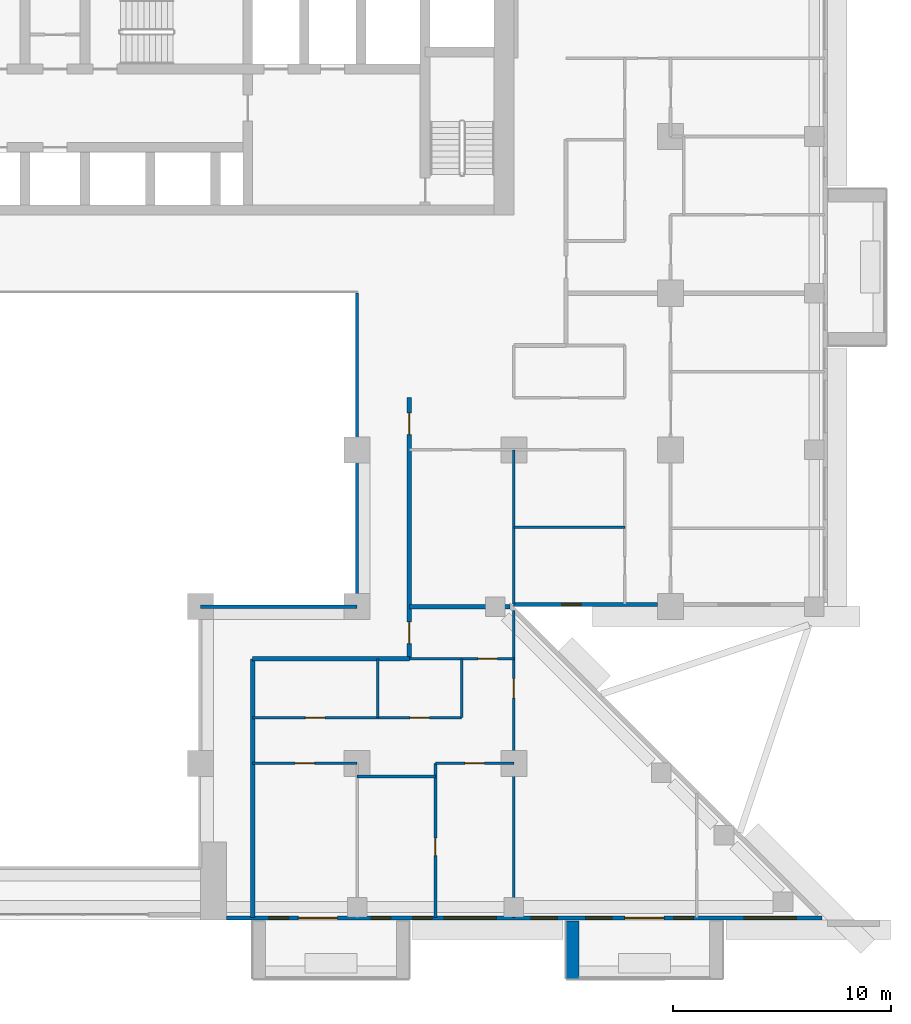
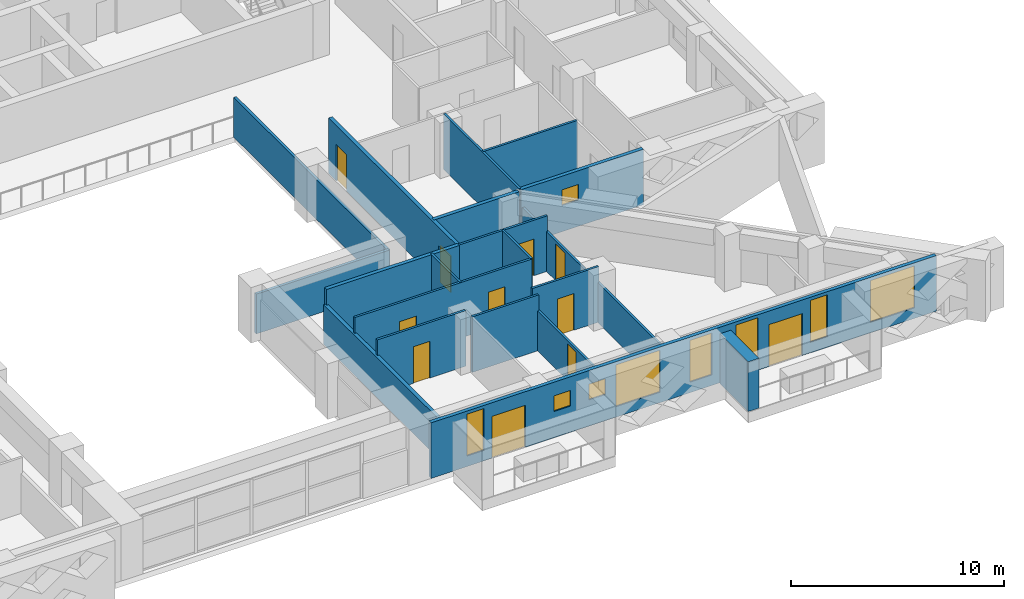
# One storey, part 8 of 17: 20 walls, 11 doors, 9 windows, 20 openings.
"""IFC4 building model written with IfcOpenShell, lengths in metres."""

from ifc_helpers import new_model, si_unit, direction, frame, frame_2d, origin, place, context, subcontext, project, spatial, rectangle, extrude, material, layer, layer_set, type_object, element, fill, save


model = new_model("IFC4")

# Units and contexts
model_context = context("Model", 3, precision=1e-05, world=origin(), true_north=direction((0.0, 1.0)))
body_context = subcontext(model_context, "Body", "Model", "MODEL_VIEW")
ifc_project = project(units=[si_unit("LENGTHUNIT", "METRE"), si_unit("AREAUNIT", "SQUARE_METRE"), si_unit("VOLUMEUNIT", "CUBIC_METRE"), si_unit("PLANEANGLEUNIT", "RADIAN"), si_unit("MASSUNIT", "GRAM", prefix="KILO")], contexts=[model_context])

# Site, building, storey
site_placement = place(None, origin())
site = spatial("IfcSite", under=ifc_project, at=site_placement, CompositionType="ELEMENT")
building_placement = place(site_placement, origin())
building = spatial("IfcBuilding", under=site, at=building_placement, Name="Saffron Iwan Residences", CompositionType="ELEMENT")
storey_placement = place(building_placement, frame((0.0, 0.0, 100.5)))
storey = spatial("IfcBuildingStorey", under=building, at=storey_placement, Name="L26", CompositionType="ELEMENT", Elevation=100.5)

# Walls
ifc_material_1 = material(Name="Fire-rated glazing", Category="glass")
ifc_layer_1 = layer(ifc_material_1, 0.14990234375)
ifc_layer_set_1 = layer_set([ifc_layer_1], Name="Fire-rated glazing")
wall_type_1 = type_object("IfcWallType", Name="Atrium glazed screen 150", PredefinedType="SOLIDWALL", material=ifc_layer_set_1)
wall_1_placement = place(storey_placement, frame((57.60009765625, 48.0, 0.0), z_axis=(0.0, 0.0, 1.0), x_axis=(1.0, 0.0, 0.0)))
element("IfcWall", 1, at=wall_1_placement, inside=storey, type_object=wall_type_1, Name="W-L26-SCREEN-h48-57.6", PredefinedType="SOLIDWALL", context=body_context, shape_type="SweptSolid", body=[
    extrude(rectangle(XDim=7.199951171875, YDim=0.14990234375, at=frame_2d((3.60009765625, 0.0))), origin(), (0.0, 0.0, 1.0), 2.280029296875),
])
wall_2_placement = place(storey_placement, frame((64.800048828125, 48.0, 0.0), z_axis=(0.0, 0.0, 1.0), x_axis=(0.0, 1.0, 0.0)))
element("IfcWall", 2, at=wall_2_placement, inside=storey, type_object=wall_type_1, Name="W-L26-SCREEN-v64.8-48", PredefinedType="SOLIDWALL", context=body_context, shape_type="SweptSolid", body=[
    extrude(rectangle(XDim=14.39990234375, YDim=0.14990234375, at=frame_2d((7.199951171875, 0.0))), origin(), (0.0, 0.0, 1.0), 2.280029296875),
])
ifc_material_2 = material(Name="Concrete C50/60 white painted", Category="concrete")
ifc_layer_2 = layer(ifc_material_2, 0.60009765625)
ifc_layer_set_2 = layer_set([ifc_layer_2], Name="Concrete C50/60 white painted")
wall_type_2 = type_object("IfcWallType", Name="BALCONY FIN 600", PredefinedType="SOLIDWALL", material=ifc_layer_set_2)
wall_3_placement = place(storey_placement, frame((74.699951171875, 33.550048828125, 0.0), z_axis=(0.0, 0.0, 1.0), x_axis=(0.0, -1.0, 0.0)))
element("IfcWall", 3, at=wall_3_placement, inside=storey, type_object=wall_type_2, Name="Balcony fin L26 11-2a", PredefinedType="SOLIDWALL", context=body_context, shape_type="SweptSolid", body=[
    extrude(rectangle(XDim=2.650146484375, YDim=0.60009765625, at=frame_2d((1.3251953125, 0.0))), origin(), (0.0, 0.0, 1.0), 2.85009765625),
])

# Wall, opening, window
ifc_material_3 = material(Name="Concrete C40/50", Category="concrete")
ifc_layer_3 = layer(ifc_material_3, 0.199951171875)
ifc_layer_set_3 = layer_set([ifc_layer_3], Name="Concrete C40/50")
wall_type_3 = type_object("IfcWallType", Name="EXTERNAL WALL 200", PredefinedType="SOLIDWALL", material=ifc_layer_set_3)
wall_4_placement = place(storey_placement, frame((71.988525390625, 48.10009765625, 0.0), z_axis=(0.0, 0.0, 1.0), x_axis=(1.0, 0.0, 0.0)))
wall_4 = element("IfcWall", 4, at=wall_4_placement, inside=storey, type_object=wall_type_3, Name="External wall L26 F1.0", PredefinedType="SOLIDWALL", context=body_context, shape_type="SweptSolid", body=[
    extrude(rectangle(XDim=6.611572265625, YDim=0.199951171875, at=frame_2d((3.3056640625, 0.0))), origin(), (0.0, 0.0, 1.0), 3.179931640625),
])
opening_1_placement = place(wall_4_placement, frame((2.205810546875, 0.0, 1.5)))
opening_1 = element("IfcOpeningElement", 5, at=opening_1_placement, cuts=wall_4, Name="Opening W6", PredefinedType="OPENING", context=body_context, shape_type="SweptSolid", body=[
    extrude(rectangle(XDim=0.89990234375, YDim=0.89990234375, at=frame_2d((0.449951171875, 0.449951171875))), frame((0.0, 0.10986328125, 0.0), z_axis=(0.0, -1.0, 0.0), x_axis=(1.0, 0.0, 0.0)), (0.0, 0.0, 1.0), 0.219970703125),
])
ifc_material_4 = material(Name="Clear glass, laminated double glazed", Category="glass")
window_type_1 = type_object("IfcWindowType", Name="WINDOW 900 x 900 BATH", PartitioningType="SINGLE_PANEL", PredefinedType="WINDOW", material=ifc_material_4)
window_1_placement = place(opening_1_placement, origin())
window_1 = element("IfcWindow", 6, at=window_1_placement, inside=storey, type_object=window_type_1, Name="Window L26 F1.0", OverallHeight=0.89990234375, OverallWidth=0.89990234375, PartitioningType="SINGLE_PANEL", PredefinedType="WINDOW", context=body_context, shape_type="SweptSolid", body=[
    extrude(rectangle(XDim=0.89990234375, YDim=0.89990234375, at=frame_2d((0.449951171875, 0.449951171875))), frame((0.0, 0.030029296875, 0.0), z_axis=(0.0, -1.0, 0.0), x_axis=(1.0, 0.0, 0.0)), (0.0, 0.0, 1.0), 0.06005859375),
])
fill(opening_1, window_1)

# Wall, openings, doors, windows
wall_5_placement = place(storey_placement, frame((58.800048828125, 33.699951171875, 0.0), z_axis=(0.0, 0.0, 1.0), x_axis=(1.0, 0.0, 0.0)))
wall_5 = element("IfcWall", 7, at=wall_5_placement, inside=storey, type_object=wall_type_3, Name="External wall L26 F11.1", PredefinedType="SOLIDWALL", context=body_context, shape_type="SweptSolid", body=[
    extrude(rectangle(XDim=27.358642578125, YDim=0.199951171875, at=frame_2d((13.67919921875, 0.0))), origin(), (0.0, 0.0, 1.0), 3.179931640625),
])
opening_2_placement = place(wall_5_placement, frame((3.300048828125, 0.0, 0.0)))
opening_2 = element("IfcOpeningElement", 8, at=opening_2_placement, cuts=wall_5, Name="Opening BD1", PredefinedType="OPENING", context=body_context, shape_type="SweptSolid", body=[
    extrude(rectangle(XDim=1.800048828125, YDim=2.39990234375, at=frame_2d((0.89990234375, 1.199951171875))), frame((0.0, 0.10986328125, 0.0), z_axis=(0.0, -1.0, 0.0), x_axis=(1.0, 0.0, 0.0)), (0.0, 0.0, 1.0), 0.219970703125),
])
opening_3_placement = place(wall_5_placement, frame((18.300048828125, 0.0, 0.0)))
opening_3 = element("IfcOpeningElement", 9, at=opening_3_placement, cuts=wall_5, Name="Opening BD1", PredefinedType="OPENING", context=body_context, shape_type="SweptSolid", body=[
    extrude(rectangle(XDim=1.800048828125, YDim=2.39990234375, at=frame_2d((0.89990234375, 1.199951171875))), frame((0.0, 0.10986328125, 0.0), z_axis=(0.0, -1.0, 0.0), x_axis=(1.0, 0.0, 0.0)), (0.0, 0.0, 1.0), 0.219970703125),
])
opening_4_placement = place(wall_5_placement, frame((10.0, 0.0, 0.60009765625)))
opening_4 = element("IfcOpeningElement", 10, at=opening_4_placement, cuts=wall_5, Name="Opening W1", PredefinedType="OPENING", context=body_context, shape_type="SweptSolid", body=[
    extrude(rectangle(XDim=2.39990234375, YDim=2.39990234375, at=frame_2d((1.199951171875, 1.199951171875))), frame((0.0, 0.10986328125, 0.0), z_axis=(0.0, -1.0, 0.0), x_axis=(1.0, 0.0, 0.0)), (0.0, 0.0, 1.0), 0.219970703125),
])
opening_5_placement = place(wall_5_placement, frame((6.64990234375, 0.0, 1.5)))
opening_5 = element("IfcOpeningElement", 11, at=opening_5_placement, cuts=wall_5, Name="Opening W6", PredefinedType="OPENING", context=body_context, shape_type="SweptSolid", body=[
    extrude(rectangle(XDim=0.89990234375, YDim=0.89990234375, at=frame_2d((0.449951171875, 0.449951171875))), frame((0.0, 0.10986328125, 0.0), z_axis=(0.0, -1.0, 0.0), x_axis=(1.0, 0.0, 0.0)), (0.0, 0.0, 1.0), 0.219970703125),
])
opening_6_placement = place(wall_5_placement, frame((8.550048828125, 0.0, 1.5)))
opening_6 = element("IfcOpeningElement", 12, at=opening_6_placement, cuts=wall_5, Name="Opening W6", PredefinedType="OPENING", context=body_context, shape_type="SweptSolid", body=[
    extrude(rectangle(XDim=0.89990234375, YDim=0.89990234375, at=frame_2d((0.449951171875, 0.449951171875))), frame((0.0, 0.10986328125, 0.0), z_axis=(0.0, -1.0, 0.0), x_axis=(1.0, 0.0, 0.0)), (0.0, 0.0, 1.0), 0.219970703125),
])
opening_7_placement = place(wall_5_placement, frame((1.949951171875, 0.0, 0.60009765625)))
opening_7 = element("IfcOpeningElement", 13, at=opening_7_placement, cuts=wall_5, Name="Opening W10", PredefinedType="OPENING", context=body_context, shape_type="SweptSolid", body=[
    extrude(rectangle(XDim=0.89990234375, YDim=2.39990234375, at=frame_2d((0.449951171875, 1.199951171875))), frame((0.0, 0.10986328125, 0.0), z_axis=(0.0, -1.0, 0.0), x_axis=(1.0, 0.0, 0.0)), (0.0, 0.0, 1.0), 0.219970703125),
])
opening_8_placement = place(wall_5_placement, frame((14.0, 0.0, 0.60009765625)))
opening_8 = element("IfcOpeningElement", 14, at=opening_8_placement, cuts=wall_5, Name="Opening W3", PredefinedType="OPENING", context=body_context, shape_type="SweptSolid", body=[
    extrude(rectangle(XDim=1.199951171875, YDim=2.39990234375, at=frame_2d((0.60009765625, 1.199951171875))), frame((0.0, 0.10986328125, 0.0), z_axis=(0.0, -1.0, 0.0), x_axis=(1.0, 0.0, 0.0)), (0.0, 0.0, 1.0), 0.219970703125),
])
opening_9_placement = place(wall_5_placement, frame((16.5, 0.0, 0.60009765625)))
opening_9 = element("IfcOpeningElement", 15, at=opening_9_placement, cuts=wall_5, Name="Opening W3", PredefinedType="OPENING", context=body_context, shape_type="SweptSolid", body=[
    extrude(rectangle(XDim=1.199951171875, YDim=2.39990234375, at=frame_2d((0.60009765625, 1.199951171875))), frame((0.0, 0.10986328125, 0.0), z_axis=(0.0, -1.0, 0.0), x_axis=(1.0, 0.0, 0.0)), (0.0, 0.0, 1.0), 0.219970703125),
])
opening_10_placement = place(wall_5_placement, frame((20.550048828125, 0.0, 0.60009765625)))
opening_10 = element("IfcOpeningElement", 16, at=opening_10_placement, cuts=wall_5, Name="Opening W10", PredefinedType="OPENING", context=body_context, shape_type="SweptSolid", body=[
    extrude(rectangle(XDim=0.89990234375, YDim=2.39990234375, at=frame_2d((0.449951171875, 1.199951171875))), frame((0.0, 0.10986328125, 0.0), z_axis=(0.0, -1.0, 0.0), x_axis=(1.0, 0.0, 0.0)), (0.0, 0.0, 1.0), 0.219970703125),
])
opening_11_placement = place(wall_5_placement, frame((23.779296875, 0.0, 0.60009765625)))
opening_11 = element("IfcOpeningElement", 17, at=opening_11_placement, cuts=wall_5, Name="Opening W1", PredefinedType="OPENING", context=body_context, shape_type="SweptSolid", body=[
    extrude(rectangle(XDim=2.39990234375, YDim=2.39990234375, at=frame_2d((1.199951171875, 1.199951171875))), frame((0.0, 0.10986328125, 0.0), z_axis=(0.0, -1.0, 0.0), x_axis=(1.0, 0.0, 0.0)), (0.0, 0.0, 1.0), 0.219970703125),
])
door_type_1 = type_object("IfcDoorType", Name="BALCONY DOOR 1800 x 2400", OperationType="DOUBLE_DOOR_SLIDING", PredefinedType="DOOR", material=ifc_material_4)
door_1_placement = place(opening_2_placement, origin())
door_1 = element("IfcDoor", 18, at=door_1_placement, inside=storey, type_object=door_type_1, Name="Balcony door L26 F11.0", OperationType="DOUBLE_DOOR_SLIDING", OverallHeight=2.39990234375, OverallWidth=1.800048828125, PredefinedType="DOOR", context=body_context, shape_type="SweptSolid", body=[
    extrude(rectangle(XDim=1.800048828125, YDim=2.39990234375, at=frame_2d((0.89990234375, 1.199951171875))), frame((0.0, 0.02490234375, 0.0), z_axis=(0.0, -1.0, 0.0), x_axis=(1.0, 0.0, 0.0)), (0.0, 0.0, 1.0), 0.050048828125),
])
fill(opening_2, door_1)
door_2_placement = place(opening_3_placement, origin())
door_2 = element("IfcDoor", 19, at=door_2_placement, inside=storey, type_object=door_type_1, Name="Balcony door L26 F11.1", OperationType="DOUBLE_DOOR_SLIDING", OverallHeight=2.39990234375, OverallWidth=1.800048828125, PredefinedType="DOOR", context=body_context, shape_type="SweptSolid", body=[
    extrude(rectangle(XDim=1.800048828125, YDim=2.39990234375, at=frame_2d((0.89990234375, 1.199951171875))), frame((0.0, 0.02490234375, 0.0), z_axis=(0.0, -1.0, 0.0), x_axis=(1.0, 0.0, 0.0)), (0.0, 0.0, 1.0), 0.050048828125),
])
fill(opening_3, door_2)
window_type_2 = type_object("IfcWindowType", Name="WINDOW 1200 x 2400", PartitioningType="SINGLE_PANEL", PredefinedType="WINDOW", material=ifc_material_4)
window_2_placement = place(opening_8_placement, origin())
window_2 = element("IfcWindow", 20, at=window_2_placement, inside=storey, type_object=window_type_2, Name="Window L26 F11.6", OverallHeight=2.39990234375, OverallWidth=1.199951171875, PartitioningType="SINGLE_PANEL", PredefinedType="WINDOW", context=body_context, shape_type="SweptSolid", body=[
    extrude(rectangle(XDim=1.199951171875, YDim=2.39990234375, at=frame_2d((0.60009765625, 1.199951171875))), frame((0.0, 0.030029296875, 0.0), z_axis=(0.0, -1.0, 0.0), x_axis=(1.0, 0.0, 0.0)), (0.0, 0.0, 1.0), 0.06005859375),
])
fill(opening_8, window_2)
window_3_placement = place(opening_9_placement, origin())
window_3 = element("IfcWindow", 21, at=window_3_placement, inside=storey, type_object=window_type_2, Name="Window L26 F11.7", OverallHeight=2.39990234375, OverallWidth=1.199951171875, PartitioningType="SINGLE_PANEL", PredefinedType="WINDOW", context=body_context, shape_type="SweptSolid", body=[
    extrude(rectangle(XDim=1.199951171875, YDim=2.39990234375, at=frame_2d((0.60009765625, 1.199951171875))), frame((0.0, 0.030029296875, 0.0), z_axis=(0.0, -1.0, 0.0), x_axis=(1.0, 0.0, 0.0)), (0.0, 0.0, 1.0), 0.06005859375),
])
fill(opening_9, window_3)
window_type_3 = type_object("IfcWindowType", Name="WINDOW 2400 x 2400", PartitioningType="DOUBLE_PANEL_VERTICAL", PredefinedType="WINDOW", material=ifc_material_4)
window_4_placement = place(opening_4_placement, origin())
window_4 = element("IfcWindow", 22, at=window_4_placement, inside=storey, type_object=window_type_3, Name="Window L26 F11.2", OverallHeight=2.39990234375, OverallWidth=2.39990234375, PartitioningType="DOUBLE_PANEL_VERTICAL", PredefinedType="WINDOW", context=body_context, shape_type="SweptSolid", body=[
    extrude(rectangle(XDim=2.39990234375, YDim=2.39990234375, at=frame_2d((1.199951171875, 1.199951171875))), frame((0.0, 0.030029296875, 0.0), z_axis=(0.0, -1.0, 0.0), x_axis=(1.0, 0.0, 0.0)), (0.0, 0.0, 1.0), 0.06005859375),
])
fill(opening_4, window_4)
window_5_placement = place(opening_11_placement, origin())
window_5 = element("IfcWindow", 23, at=window_5_placement, inside=storey, type_object=window_type_3, Name="Window L26 F11.9", OverallHeight=2.39990234375, OverallWidth=2.39990234375, PartitioningType="DOUBLE_PANEL_VERTICAL", PredefinedType="WINDOW", context=body_context, shape_type="SweptSolid", body=[
    extrude(rectangle(XDim=2.39990234375, YDim=2.39990234375, at=frame_2d((1.199951171875, 1.199951171875))), frame((0.0, 0.030029296875, 0.0), z_axis=(0.0, -1.0, 0.0), x_axis=(1.0, 0.0, 0.0)), (0.0, 0.0, 1.0), 0.06005859375),
])
fill(opening_11, window_5)
window_type_4 = type_object("IfcWindowType", Name="WINDOW 900 x 2400", PartitioningType="SINGLE_PANEL", PredefinedType="WINDOW", material=ifc_material_4)
window_6_placement = place(opening_7_placement, origin())
window_6 = element("IfcWindow", 24, at=window_6_placement, inside=storey, type_object=window_type_4, Name="Window L26 F11.5", OverallHeight=2.39990234375, OverallWidth=0.89990234375, PartitioningType="SINGLE_PANEL", PredefinedType="WINDOW", context=body_context, shape_type="SweptSolid", body=[
    extrude(rectangle(XDim=0.89990234375, YDim=2.39990234375, at=frame_2d((0.449951171875, 1.199951171875))), frame((0.0, 0.030029296875, 0.0), z_axis=(0.0, -1.0, 0.0), x_axis=(1.0, 0.0, 0.0)), (0.0, 0.0, 1.0), 0.06005859375),
])
fill(opening_7, window_6)
window_7_placement = place(opening_10_placement, origin())
window_7 = element("IfcWindow", 25, at=window_7_placement, inside=storey, type_object=window_type_4, Name="Window L26 F11.8", OverallHeight=2.39990234375, OverallWidth=0.89990234375, PartitioningType="SINGLE_PANEL", PredefinedType="WINDOW", context=body_context, shape_type="SweptSolid", body=[
    extrude(rectangle(XDim=0.89990234375, YDim=2.39990234375, at=frame_2d((0.449951171875, 1.199951171875))), frame((0.0, 0.030029296875, 0.0), z_axis=(0.0, -1.0, 0.0), x_axis=(1.0, 0.0, 0.0)), (0.0, 0.0, 1.0), 0.06005859375),
])
fill(opening_10, window_7)
window_8_placement = place(opening_5_placement, origin())
window_8 = element("IfcWindow", 26, at=window_8_placement, inside=storey, type_object=window_type_1, Name="Window L26 F11.3", OverallHeight=0.89990234375, OverallWidth=0.89990234375, PartitioningType="SINGLE_PANEL", PredefinedType="WINDOW", context=body_context, shape_type="SweptSolid", body=[
    extrude(rectangle(XDim=0.89990234375, YDim=0.89990234375, at=frame_2d((0.449951171875, 0.449951171875))), frame((0.0, 0.030029296875, 0.0), z_axis=(0.0, -1.0, 0.0), x_axis=(1.0, 0.0, 0.0)), (0.0, 0.0, 1.0), 0.06005859375),
])
fill(opening_5, window_8)
window_9_placement = place(opening_6_placement, origin())
window_9 = element("IfcWindow", 27, at=window_9_placement, inside=storey, type_object=window_type_1, Name="Window L26 F11.4", OverallHeight=0.89990234375, OverallWidth=0.89990234375, PartitioningType="SINGLE_PANEL", PredefinedType="WINDOW", context=body_context, shape_type="SweptSolid", body=[
    extrude(rectangle(XDim=0.89990234375, YDim=0.89990234375, at=frame_2d((0.449951171875, 0.449951171875))), frame((0.0, 0.030029296875, 0.0), z_axis=(0.0, -1.0, 0.0), x_axis=(1.0, 0.0, 0.0)), (0.0, 0.0, 1.0), 0.06005859375),
])
fill(opening_6, window_9)

# Walls
ifc_material_5 = material(Name="Fire-rated gypsum board wall")
ifc_layer_4 = layer(ifc_material_5, 0.199951171875)
ifc_layer_set_4 = layer_set([ifc_layer_4], Name="Fire-rated gypsum board wall")
wall_type_4 = type_object("IfcWallType", Name="Flat demising wall 200", PredefinedType="SOLIDWALL", material=ifc_layer_set_4)
wall_6_placement = place(storey_placement, frame((67.199951171875, 48.0, 0.0), z_axis=(0.0, 0.0, 1.0), x_axis=(1.0, 0.0, 0.0)))
element("IfcWall", 28, at=wall_6_placement, inside=storey, type_object=wall_type_4, Name="W-L26-DEMISE-h48-67.2", PredefinedType="SOLIDWALL", context=body_context, shape_type="SweptSolid", body=[
    extrude(rectangle(XDim=4.623046875, YDim=0.199951171875, at=frame_2d((2.3115234375, 0.0))), origin(), (0.0, 0.0, 1.0), 3.179931640625),
])
ifc_material_6 = material(Name="Gypsum board partition")
ifc_layer_5 = layer(ifc_material_6, 0.1201171875)
ifc_layer_set_5 = layer_set([ifc_layer_5], Name="Gypsum board partition")
wall_type_5 = type_object("IfcWallType", Name="Flat partition 120", PredefinedType="PARTITIONING", material=ifc_layer_set_5)
wall_7_placement = place(storey_placement, frame((64.800048828125, 40.199951171875, 0.0), z_axis=(0.0, 0.0, 1.0), x_axis=(1.0, 0.0, 0.0)))
element("IfcWall", 29, at=wall_7_placement, inside=storey, type_object=wall_type_5, Name="W-L26-PART-h40.2-64.8", PredefinedType="PARTITIONING", context=body_context, shape_type="SweptSolid", body=[
    extrude(rectangle(XDim=3.599853515625, YDim=0.1201171875, at=frame_2d((1.7998046875, 0.0))), origin(), (0.0, 0.0, 1.0), 3.179931640625),
])

# Wall, opening, door
wall_8_placement = place(storey_placement, frame((60.0, 40.800048828125, 0.0), z_axis=(0.0, 0.0, 1.0), x_axis=(1.0, 0.0, 0.0)))
wall_8 = element("IfcWall", 30, at=wall_8_placement, inside=storey, type_object=wall_type_5, Name="W-L26-PART-h40.8-60", PredefinedType="PARTITIONING", context=body_context, shape_type="SweptSolid", body=[
    extrude(rectangle(XDim=4.800048828125, YDim=0.1201171875, at=frame_2d((2.39990234375, 0.0))), origin(), (0.0, 0.0, 1.0), 3.179931640625),
])
opening_12_placement = place(wall_8_placement, frame((1.949951171875, 0.0, 0.0)))
opening_12 = element("IfcOpeningElement", 31, at=opening_12_placement, cuts=wall_8, Name="Opening FD2", PredefinedType="OPENING", context=body_context, shape_type="SweptSolid", body=[
    extrude(rectangle(XDim=0.89990234375, YDim=2.10009765625, at=frame_2d((0.449951171875, 1.050048828125))), frame((0.0, 0.070068359375, 0.0), z_axis=(0.0, -1.0, 0.0), x_axis=(1.0, 0.0, 0.0)), (0.0, 0.0, 1.0), 0.14013671875),
])
ifc_material_7 = material(Name="Timber door", Category="wood")
door_type_2 = type_object("IfcDoorType", Name="Flat door 900", OperationType="NOTDEFINED", PredefinedType="DOOR", material=ifc_material_7)
door_3_placement = place(opening_12_placement, origin())
door_3 = element("IfcDoor", 32, at=door_3_placement, inside=storey, type_object=door_type_2, Name="Door L26-046", OperationType="SINGLE_SWING_LEFT", OverallHeight=2.10009765625, OverallWidth=0.89990234375, PredefinedType="DOOR", context=body_context, shape_type="SweptSolid", body=[
    extrude(rectangle(XDim=0.89990234375, YDim=2.10009765625, at=frame_2d((0.449951171875, 1.050048828125))), frame((0.0, 0.02490234375, 0.0), z_axis=(0.0, -1.0, 0.0), x_axis=(1.0, 0.0, 0.0)), (0.0, 0.0, 1.0), 0.050048828125),
])
fill(opening_12, door_3)

wall_9_placement = place(storey_placement, frame((68.39990234375, 40.800048828125, 0.0), z_axis=(0.0, 0.0, 1.0), x_axis=(1.0, 0.0, 0.0)))
wall_9 = element("IfcWall", 33, at=wall_9_placement, inside=storey, type_object=wall_type_5, Name="W-L26-PART-h40.8-68.4", PredefinedType="PARTITIONING", context=body_context, shape_type="SweptSolid", body=[
    extrude(rectangle(XDim=3.60009765625, YDim=0.1201171875, at=frame_2d((1.800048828125, 0.0))), origin(), (0.0, 0.0, 1.0), 3.179931640625),
])
opening_13_placement = place(wall_9_placement, frame((1.35009765625, 0.0, 0.0)))
opening_13 = element("IfcOpeningElement", 34, at=opening_13_placement, cuts=wall_9, Name="Opening FD2", PredefinedType="OPENING", context=body_context, shape_type="SweptSolid", body=[
    extrude(rectangle(XDim=0.89990234375, YDim=2.10009765625, at=frame_2d((0.449951171875, 1.050048828125))), frame((0.0, 0.070068359375, 0.0), z_axis=(0.0, -1.0, 0.0), x_axis=(1.0, 0.0, 0.0)), (0.0, 0.0, 1.0), 0.14013671875),
])
door_4_placement = place(opening_13_placement, origin())
door_4 = element("IfcDoor", 35, at=door_4_placement, inside=storey, type_object=door_type_2, Name="Door L26-044", OperationType="SINGLE_SWING_RIGHT", OverallHeight=2.10009765625, OverallWidth=0.89990234375, PredefinedType="DOOR", context=body_context, shape_type="SweptSolid", body=[
    extrude(rectangle(XDim=0.89990234375, YDim=2.10009765625, at=frame_2d((0.449951171875, 1.050048828125))), frame((0.0, 0.02490234375, 0.0), z_axis=(0.0, -1.0, 0.0), x_axis=(1.0, 0.0, 0.0)), (0.0, 0.0, 1.0), 0.050048828125),
])
fill(opening_13, door_4)

# Wall, openings, doors
wall_10_placement = place(storey_placement, frame((60.0, 42.89990234375, 0.0), z_axis=(0.0, 0.0, 1.0), x_axis=(1.0, 0.0, 0.0)))
wall_10 = element("IfcWall", 36, at=wall_10_placement, inside=storey, type_object=wall_type_5, Name="W-L26-PART-h42.9-60", PredefinedType="PARTITIONING", context=body_context, shape_type="SweptSolid", body=[
    extrude(rectangle(XDim=9.60009765625, YDim=0.1201171875, at=frame_2d((4.800048828125, 0.0))), origin(), (0.0, 0.0, 1.0), 3.179931640625),
])
opening_14_placement = place(wall_10_placement, frame((7.22509765625, 0.0, 0.0)))
opening_14 = element("IfcOpeningElement", 37, at=opening_14_placement, cuts=wall_10, Name="Opening FD2", PredefinedType="OPENING", context=body_context, shape_type="SweptSolid", body=[
    extrude(rectangle(XDim=0.89990234375, YDim=2.10009765625, at=frame_2d((0.449951171875, 1.050048828125))), frame((0.0, 0.070068359375, 0.0), z_axis=(0.0, -1.0, 0.0), x_axis=(1.0, 0.0, 0.0)), (0.0, 0.0, 1.0), 0.14013671875),
])
opening_15_placement = place(wall_10_placement, frame((2.425048828125, 0.0, 0.0)))
opening_15 = element("IfcOpeningElement", 38, at=opening_15_placement, cuts=wall_10, Name="Opening FD2", PredefinedType="OPENING", context=body_context, shape_type="SweptSolid", body=[
    extrude(rectangle(XDim=0.89990234375, YDim=2.10009765625, at=frame_2d((0.449951171875, 1.050048828125))), frame((0.0, 0.070068359375, 0.0), z_axis=(0.0, -1.0, 0.0), x_axis=(1.0, 0.0, 0.0)), (0.0, 0.0, 1.0), 0.14013671875),
])
door_5_placement = place(opening_14_placement, origin())
door_5 = element("IfcDoor", 39, at=door_5_placement, inside=storey, type_object=door_type_2, Name="Door L26-047", OperationType="SINGLE_SWING_RIGHT", OverallHeight=2.10009765625, OverallWidth=0.89990234375, PredefinedType="DOOR", context=body_context, shape_type="SweptSolid", body=[
    extrude(rectangle(XDim=0.89990234375, YDim=2.10009765625, at=frame_2d((0.449951171875, 1.050048828125))), frame((0.0, 0.02490234375, 0.0), z_axis=(0.0, -1.0, 0.0), x_axis=(1.0, 0.0, 0.0)), (0.0, 0.0, 1.0), 0.050048828125),
])
fill(opening_14, door_5)
door_6_placement = place(opening_15_placement, origin())
door_6 = element("IfcDoor", 40, at=door_6_placement, inside=storey, type_object=door_type_2, Name="Door L26-048", OperationType="SINGLE_SWING_LEFT", OverallHeight=2.10009765625, OverallWidth=0.89990234375, PredefinedType="DOOR", context=body_context, shape_type="SweptSolid", body=[
    extrude(rectangle(XDim=0.89990234375, YDim=2.10009765625, at=frame_2d((0.449951171875, 1.050048828125))), frame((0.0, 0.02490234375, 0.0), z_axis=(0.0, -1.0, 0.0), x_axis=(1.0, 0.0, 0.0)), (0.0, 0.0, 1.0), 0.050048828125),
])
fill(opening_15, door_6)

# Wall, opening, door
wall_11_placement = place(storey_placement, frame((67.199951171875, 45.60009765625, 0.0), z_axis=(0.0, 0.0, 1.0), x_axis=(1.0, 0.0, 0.0)))
wall_11 = element("IfcWall", 41, at=wall_11_placement, inside=storey, type_object=wall_type_5, Name="W-L26-PART-h45.6-67.2", PredefinedType="PARTITIONING", context=body_context, shape_type="SweptSolid", body=[
    extrude(rectangle(XDim=4.800048828125, YDim=0.1201171875, at=frame_2d((2.39990234375, 0.0))), origin(), (0.0, 0.0, 1.0), 3.179931640625),
])
opening_16_placement = place(wall_11_placement, frame((3.14990234375, 0.0, 0.0)))
opening_16 = element("IfcOpeningElement", 42, at=opening_16_placement, cuts=wall_11, Name="Opening FD2", PredefinedType="OPENING", context=body_context, shape_type="SweptSolid", body=[
    extrude(rectangle(XDim=0.89990234375, YDim=2.10009765625, at=frame_2d((0.449951171875, 1.050048828125))), frame((0.0, 0.070068359375, 0.0), z_axis=(0.0, -1.0, 0.0), x_axis=(1.0, 0.0, 0.0)), (0.0, 0.0, 1.0), 0.14013671875),
])
door_7_placement = place(opening_16_placement, origin())
door_7 = element("IfcDoor", 43, at=door_7_placement, inside=storey, type_object=door_type_2, Name="Door L26-042", OperationType="SINGLE_SWING_LEFT", OverallHeight=2.10009765625, OverallWidth=0.89990234375, PredefinedType="DOOR", context=body_context, shape_type="SweptSolid", body=[
    extrude(rectangle(XDim=0.89990234375, YDim=2.10009765625, at=frame_2d((0.449951171875, 1.050048828125))), frame((0.0, 0.02490234375, 0.0), z_axis=(0.0, -1.0, 0.0), x_axis=(1.0, 0.0, 0.0)), (0.0, 0.0, 1.0), 0.050048828125),
])
fill(opening_16, door_7)

# Walls
wall_12_placement = place(storey_placement, frame((72.0, 51.64990234375, 0.0), z_axis=(0.0, 0.0, 1.0), x_axis=(1.0, 0.0, 0.0)))
element("IfcWall", 44, at=wall_12_placement, inside=storey, type_object=wall_type_5, Name="W-L26-PART-h51.65-72", PredefinedType="PARTITIONING", context=body_context, shape_type="SweptSolid", body=[
    extrude(rectangle(XDim=5.10009765625, YDim=0.1201171875, at=frame_2d((2.550048828125, 0.0))), origin(), (0.0, 0.0, 1.0), 3.179931640625),
])
wall_13_placement = place(storey_placement, frame((65.75, 42.89990234375, 0.0), z_axis=(0.0, 0.0, 1.0), x_axis=(0.0, 1.0, 0.0)))
element("IfcWall", 45, at=wall_13_placement, inside=storey, type_object=wall_type_5, Name="W-L26-PART-v65.75-42.9", PredefinedType="PARTITIONING", context=body_context, shape_type="SweptSolid", body=[
    extrude(rectangle(XDim=2.7001953125, YDim=0.1201171875, at=frame_2d((1.35009765625, 0.0))), origin(), (0.0, 0.0, 1.0), 3.179931640625),
])

# Wall, opening, door
wall_14_placement = place(storey_placement, frame((68.39990234375, 33.72509765625, 0.0), z_axis=(0.0, 0.0, 1.0), x_axis=(0.0, 1.0, 0.0)))
wall_14 = element("IfcWall", 46, at=wall_14_placement, inside=storey, type_object=wall_type_5, Name="W-L26-PART-v68.4-33.725", PredefinedType="PARTITIONING", context=body_context, shape_type="SweptSolid", body=[
    extrude(rectangle(XDim=7.074951171875, YDim=0.1201171875, at=frame_2d((3.53759765625, 0.0))), origin(), (0.0, 0.0, 1.0), 2.280029296875),
])
opening_17_placement = place(wall_14_placement, frame((2.83740234375, 0.0, 0.0)))
opening_17 = element("IfcOpeningElement", 47, at=opening_17_placement, cuts=wall_14, Name="Opening FD3", PredefinedType="OPENING", context=body_context, shape_type="SweptSolid", body=[
    extrude(rectangle(XDim=0.800048828125, YDim=2.10009765625, at=frame_2d((0.39990234375, 1.050048828125))), frame((0.0, 0.070068359375, 0.0), z_axis=(0.0, -1.0, 0.0), x_axis=(1.0, 0.0, 0.0)), (0.0, 0.0, 1.0), 0.14013671875),
])
door_type_3 = type_object("IfcDoorType", Name="Bathroom door 800", OperationType="NOTDEFINED", PredefinedType="DOOR", material=ifc_material_7)
door_8_placement = place(opening_17_placement, origin())
door_8 = element("IfcDoor", 48, at=door_8_placement, inside=storey, type_object=door_type_3, Name="Door L26-045", OperationType="SINGLE_SWING_LEFT", OverallHeight=2.10009765625, OverallWidth=0.800048828125, PredefinedType="DOOR", context=body_context, shape_type="SweptSolid", body=[
    extrude(rectangle(XDim=0.800048828125, YDim=2.10009765625, at=frame_2d((0.39990234375, 1.050048828125))), frame((0.0, 0.02490234375, 0.0), z_axis=(0.0, -1.0, 0.0), x_axis=(1.0, 0.0, 0.0)), (0.0, 0.0, 1.0), 0.050048828125),
])
fill(opening_17, door_8)

# Wall
wall_15_placement = place(storey_placement, frame((69.60009765625, 42.89990234375, 0.0), z_axis=(0.0, 0.0, 1.0), x_axis=(0.0, 1.0, 0.0)))
element("IfcWall", 49, at=wall_15_placement, inside=storey, type_object=wall_type_5, Name="W-L26-PART-v69.6-42.9", PredefinedType="PARTITIONING", context=body_context, shape_type="SweptSolid", body=[
    extrude(rectangle(XDim=2.7001953125, YDim=0.1201171875, at=frame_2d((1.35009765625, 0.0))), origin(), (0.0, 0.0, 1.0), 3.179931640625),
])

# Wall, opening, door
wall_16_placement = place(storey_placement, frame((72.0, 33.72509765625, 0.0), z_axis=(0.0, 0.0, 1.0), x_axis=(0.0, 1.0, 0.0)))
wall_16 = element("IfcWall", 50, at=wall_16_placement, inside=storey, type_object=wall_type_5, Name="W-L26-PART-v72-33.725", PredefinedType="PARTITIONING", context=body_context, shape_type="SweptSolid", body=[
    extrude(rectangle(XDim=14.097900390625, YDim=0.1201171875, at=frame_2d((7.048828125, 0.0))), origin(), (0.0, 0.0, 1.0), 2.280029296875),
])
opening_18_placement = place(wall_16_placement, frame((10.074951171875, 0.0, 0.0)))
opening_18 = element("IfcOpeningElement", 51, at=opening_18_placement, cuts=wall_16, Name="Opening FD2", PredefinedType="OPENING", context=body_context, shape_type="SweptSolid", body=[
    extrude(rectangle(XDim=0.89990234375, YDim=2.10009765625, at=frame_2d((0.449951171875, 1.050048828125))), frame((0.0, 0.070068359375, 0.0), z_axis=(0.0, -1.0, 0.0), x_axis=(1.0, 0.0, 0.0)), (0.0, 0.0, 1.0), 0.14013671875),
])
door_9_placement = place(opening_18_placement, origin())
door_9 = element("IfcDoor", 52, at=door_9_placement, inside=storey, type_object=door_type_2, Name="Door L26-049", OperationType="SINGLE_SWING_LEFT", OverallHeight=2.10009765625, OverallWidth=0.89990234375, PredefinedType="DOOR", context=body_context, shape_type="SweptSolid", body=[
    extrude(rectangle(XDim=0.89990234375, YDim=2.10009765625, at=frame_2d((0.449951171875, 1.050048828125))), frame((0.0, 0.02490234375, 0.0), z_axis=(0.0, -1.0, 0.0), x_axis=(1.0, 0.0, 0.0)), (0.0, 0.0, 1.0), 0.050048828125),
])
fill(opening_18, door_9)

# Walls
wall_17_placement = place(storey_placement, frame((72.0, 48.125, 0.0), z_axis=(0.0, 0.0, 1.0), x_axis=(0.0, 1.0, 0.0)))
element("IfcWall", 53, at=wall_17_placement, inside=storey, type_object=wall_type_5, Name="W-L26-PART-v72-48.125", PredefinedType="PARTITIONING", context=body_context, shape_type="SweptSolid", body=[
    extrude(rectangle(XDim=7.074951171875, YDim=0.1201171875, at=frame_2d((3.53759765625, 0.0))), origin(), (0.0, 0.0, 1.0), 3.179931640625),
])
ifc_layer_6 = layer(ifc_material_5, 0.199951171875)
ifc_layer_set_6 = layer_set([ifc_layer_6], Name="Fire-rated gypsum board wall")
wall_type_6 = type_object("IfcWallType", Name="Gallery wall 200", PredefinedType="SOLIDWALL", material=ifc_layer_set_6)
wall_18_placement = place(storey_placement, frame((60.0, 45.60009765625, 0.0), z_axis=(0.0, 0.0, 1.0), x_axis=(1.0, 0.0, 0.0)))
element("IfcWall", 54, at=wall_18_placement, inside=storey, type_object=wall_type_6, Name="W-L26-CORR-h45.6-60", PredefinedType="SOLIDWALL", context=body_context, shape_type="SweptSolid", body=[
    extrude(rectangle(XDim=7.199951171875, YDim=0.199951171875, at=frame_2d((3.60009765625, 0.0))), origin(), (0.0, 0.0, 1.0), 3.179931640625),
])
wall_19_placement = place(storey_placement, frame((60.0, 33.72509765625, 0.0), z_axis=(0.0, 0.0, 1.0), x_axis=(0.0, 1.0, 0.0)))
element("IfcWall", 55, at=wall_19_placement, inside=storey, type_object=wall_type_6, Name="W-L26-CORR-v60-33.725", PredefinedType="SOLIDWALL", context=body_context, shape_type="SweptSolid", body=[
    extrude(rectangle(XDim=11.875, YDim=0.199951171875, at=frame_2d((5.9375, 0.0))), origin(), (0.0, 0.0, 1.0), 2.280029296875),
])

# Wall, openings, doors
wall_20_placement = place(storey_placement, frame((67.199951171875, 45.60009765625, 0.0), z_axis=(0.0, 0.0, 1.0), x_axis=(0.0, 1.0, 0.0)))
wall_20 = element("IfcWall", 56, at=wall_20_placement, inside=storey, type_object=wall_type_6, Name="W-L26-CORR-v67.2-45.6", PredefinedType="SOLIDWALL", context=body_context, shape_type="SweptSolid", body=[
    extrude(rectangle(XDim=12.0, YDim=0.199951171875, at=frame_2d((6.0, 0.0))), origin(), (0.0, 0.0, 1.0), 3.179931640625),
])
opening_19_placement = place(wall_20_placement, frame((10.300048828125, 0.0, 0.0)))
opening_19 = element("IfcOpeningElement", 57, at=opening_19_placement, cuts=wall_20, Name="Opening FD1", PredefinedType="OPENING", context=body_context, shape_type="SweptSolid", body=[
    extrude(rectangle(XDim=1.0, YDim=2.10009765625, at=frame_2d((0.5, 1.050048828125))), frame((0.0, 0.10986328125, 0.0), z_axis=(0.0, -1.0, 0.0), x_axis=(1.0, 0.0, 0.0)), (0.0, 0.0, 1.0), 0.219970703125),
])
opening_20_placement = place(wall_20_placement, frame((0.699951171875, 0.0, 0.0)))
opening_20 = element("IfcOpeningElement", 58, at=opening_20_placement, cuts=wall_20, Name="Opening FD5", PredefinedType="OPENING", context=body_context, shape_type="SweptSolid", body=[
    extrude(rectangle(XDim=1.0, YDim=2.10009765625, at=frame_2d((0.5, 1.050048828125))), frame((0.0, 0.10986328125, 0.0), z_axis=(0.0, -1.0, 0.0), x_axis=(1.0, 0.0, 0.0)), (0.0, 0.0, 1.0), 0.219970703125),
])
ifc_material_8 = material(Name="Fire-rated timber door", Category="wood")
door_type_4 = type_object("IfcDoorType", Name="FD30S flat entrance door 1000", OperationType="NOTDEFINED", PredefinedType="DOOR", material=ifc_material_8)
door_10_placement = place(opening_19_placement, origin())
door_10 = element("IfcDoor", 59, at=door_10_placement, inside=storey, type_object=door_type_4, Name="Door L26-020", OperationType="SINGLE_SWING_RIGHT", OverallHeight=2.10009765625, OverallWidth=1.0, PredefinedType="DOOR", context=body_context, shape_type="SweptSolid", body=[
    extrude(rectangle(XDim=1.0, YDim=2.10009765625, at=frame_2d((0.5, 1.050048828125))), frame((0.0, 0.02490234375, 0.0), z_axis=(0.0, -1.0, 0.0), x_axis=(1.0, 0.0, 0.0)), (0.0, 0.0, 1.0), 0.050048828125),
])
fill(opening_19, door_10)
door_type_5 = type_object("IfcDoorType", Name="Lobby door 1000", OperationType="NOTDEFINED", PredefinedType="DOOR", material=ifc_material_8)
door_11_placement = place(opening_20_placement, origin())
door_11 = element("IfcDoor", 60, at=door_11_placement, inside=storey, type_object=door_type_5, Name="Door L26-043", OperationType="SINGLE_SWING_LEFT", OverallHeight=2.10009765625, OverallWidth=1.0, PredefinedType="DOOR", context=body_context, shape_type="SweptSolid", body=[
    extrude(rectangle(XDim=1.0, YDim=2.10009765625, at=frame_2d((0.5, 1.050048828125))), frame((0.0, 0.02490234375, 0.0), z_axis=(0.0, -1.0, 0.0), x_axis=(1.0, 0.0, 0.0)), (0.0, 0.0, 1.0), 0.050048828125),
])
fill(opening_20, door_11)

save(model, "model.ifc")
